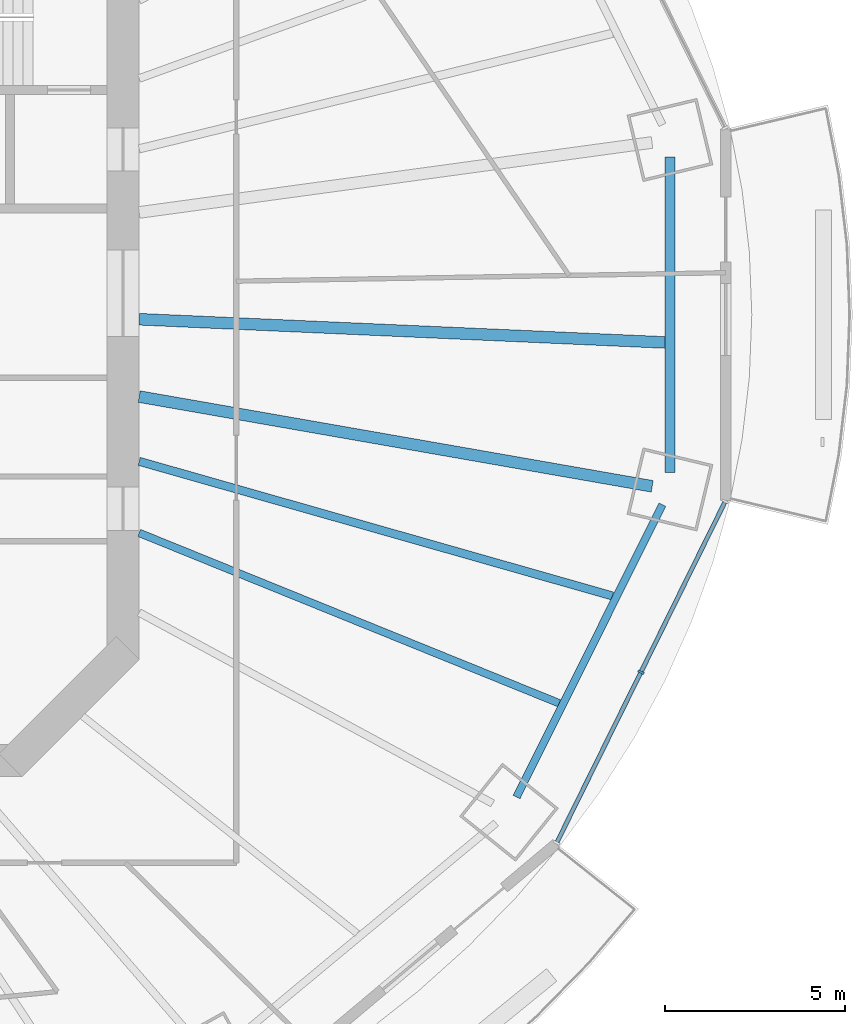
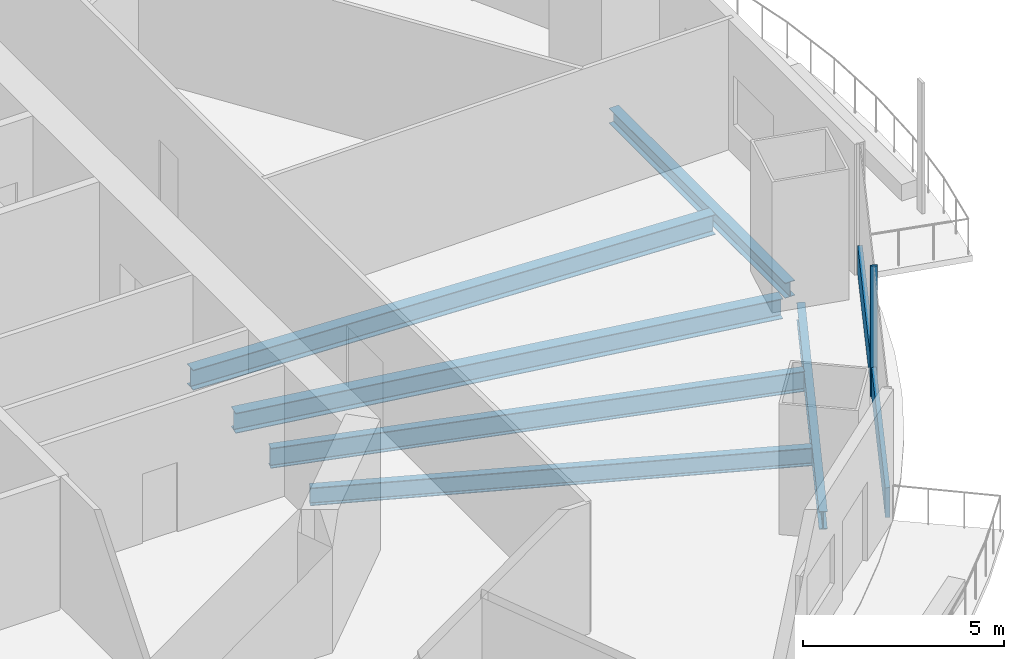
# One storey, part 5 of 21: 6 beams, 2 members, 1 element without a shape of its own.
"""IFC4 building model written with IfcOpenShell, lengths in metres."""

from ifc_helpers import new_model, si_unit, direction, frame, origin, origin_2d, place, context, subcontext, project, spatial, rectangle, i_section, extrude, material, material_profile, profile_set, type_object, element, aggregate, save


model = new_model("IFC4")

# Units and contexts
model_context = context("Model", 3, precision=1e-05, world=origin(), true_north=direction((0.0, 1.0)))
body_context = subcontext(model_context, "Body", "Model", "MODEL_VIEW")
ifc_project = project(units=[si_unit("LENGTHUNIT", "METRE"), si_unit("AREAUNIT", "SQUARE_METRE"), si_unit("VOLUMEUNIT", "CUBIC_METRE"), si_unit("PLANEANGLEUNIT", "RADIAN"), si_unit("MASSUNIT", "GRAM", prefix="KILO")], contexts=[model_context])

# Site, building, storey
site_placement = place(None, origin())
site = spatial("IfcSite", under=ifc_project, at=site_placement, CompositionType="ELEMENT")
building_placement = place(site_placement, origin())
building = spatial("IfcBuilding", under=site, at=building_placement, Name="Marenthal Gate Tower", CompositionType="ELEMENT")
storey_placement = place(building_placement, frame((0.0, 0.0, 202.550048828125)))
storey = spatial("IfcBuildingStorey", under=building, at=storey_placement, Name="L44", CompositionType="ELEMENT", Elevation=202.550048828125)

# Curtain wall, members
ifc_material_1 = material(Name="Aluminium and glass", Category="aluminium")
curtain_wall_type = type_object("IfcCurtainWallType", Name="Curtain wall typical mid", PredefinedType="NOTDEFINED", material=ifc_material_1)
curtain_wall_placement = place(storey_placement, origin())
curtain_wall = element("IfcCurtainWall", 1, at=curtain_wall_placement, inside=storey, type_object=curtain_wall_type, Name="Curtain wall L44 bay 15", PredefinedType="NOTDEFINED")
ifc_material_2 = material(Name="Aluminium", Category="aluminium")
ifc_material_profile_1 = material_profile(ifc_material_2, rectangle(XDim=0.179931640625, YDim=0.06005859375, at=origin_2d()), Name="60x180 aluminium mullion")
ifc_profile_set_1 = profile_set([ifc_material_profile_1], Name="Aluminium")
member_type_1 = type_object("IfcMemberType", Name="Mullion 60x180 typical mid", PredefinedType="MULLION", material=ifc_profile_set_1)
member_1_placement = place(storey_placement, frame((30.408203125, -10.54443359375, 0.0), z_axis=(0.0, 0.0, 1.0), x_axis=(-0.896715617309, 0.442607164057, 0.0)))
member_1 = element("IfcMember", 2, at=member_1_placement, type_object=member_type_1, Name="Mullion L44 bay 15.2", PredefinedType="MULLION", context=body_context, shape_type="SweptSolid", body=[
    extrude(rectangle(XDim=0.179931640625, YDim=0.06005859375, at=origin_2d()), origin(), (0.0, 0.0, 1.0), 3.969970703125),
])
ifc_material_3 = material(Name="Aluminium", Category="aluminium")
ifc_material_profile_2 = material_profile(ifc_material_3, rectangle(XDim=0.1201171875, YDim=0.89990234375, at=origin_2d()), Name="120x900 aluminium transom")
ifc_profile_set_2 = profile_set([ifc_material_profile_2], Name="Aluminium")
member_type_2 = type_object("IfcMemberType", Name="Transom 120x900 typical mid", PredefinedType="USERDEFINED", material=ifc_profile_set_2)
member_2_placement = place(storey_placement, frame((28.07763671875, -15.26611328125, 0.449951171875), z_axis=(0.442608192254, 0.896715109804, 0.0), x_axis=(-0.896715109804, 0.442608192254, 0.0)))
member_2 = element("IfcMember", 3, at=member_2_placement, type_object=member_type_2, Name="Transom L44 bay 15", ObjectType="TRANSOM", PredefinedType="USERDEFINED", context=body_context, shape_type="SweptSolid", body=[
    extrude(rectangle(XDim=0.1201171875, YDim=0.89990234375, at=origin_2d()), origin(), (0.0, 0.0, 1.0), 10.531005859375),
])
aggregate(curtain_wall, [member_1, member_2])

# Beams
ifc_material_4 = material(Name="Steel S355", Category="steel")
ifc_material_profile_3 = material_profile(ifc_material_4, i_section(OverallWidth=0.279052734375, OverallDepth=0.4619140625, WebThickness=0.0107421875, FlangeThickness=0.017333984375, FilletRadius=0.010009765625, at=origin_2d()), Name="W460X113")
ifc_profile_set_3 = profile_set([ifc_material_profile_3], Name="Steel S355")
beam_type_1 = type_object("IfcBeamType", Name="W460X113 beam", PredefinedType="BEAM", material=ifc_profile_set_3)
beam_1_placement = place(storey_placement, frame((31.2158203125, -4.98388671875, -0.4111328125), z_axis=(0.0, 1.0, 0.0), x_axis=(-1.0, 0.0, 0.0)))
element("IfcBeam", 4, at=beam_1_placement, inside=storey, type_object=beam_type_1, Name="BM-L44-56", PredefinedType="BEAM", context=body_context, shape_type="SweptSolid", body=[
    extrude(i_section(OverallWidth=0.279052734375, OverallDepth=0.4619140625, WebThickness=0.0107421875, FlangeThickness=0.017333984375, FilletRadius=0.010009765625, at=origin_2d()), origin(), (0.0, 0.0, 1.0), 8.767578125),
])
ifc_material_5 = material(Name="Steel S355", Category="steel")
ifc_material_profile_4 = material_profile(ifc_material_5, i_section(OverallWidth=0.2119140625, OverallDepth=0.5439453125, WebThickness=0.01318359375, FlangeThickness=0.021240234375, FilletRadius=0.0126953125, at=origin_2d()), Name="W530X123")
ifc_profile_set_4 = profile_set([ifc_material_profile_4], Name="Steel S355")
beam_type_2 = type_object("IfcBeamType", Name="W530X123 beam", PredefinedType="BEAM", material=ifc_profile_set_4)
beam_2_placement = place(storey_placement, frame((28.131591796875, -11.408203125, -0.4521484375), z_axis=(-0.926697708626, 0.375807606132, 0.0), x_axis=(-0.375807606132, -0.926697708626, 0.0)))
element("IfcBeam", 5, at=beam_2_placement, inside=storey, type_object=beam_type_2, Name="BM-L44-38", PredefinedType="BEAM", context=body_context, shape_type="SweptSolid", body=[
    extrude(i_section(OverallWidth=0.2119140625, OverallDepth=0.5439453125, WebThickness=0.01318359375, FlangeThickness=0.021240234375, FilletRadius=0.0126953125, at=origin_2d()), origin(), (0.0, 0.0, 1.0), 12.605712890625),
])
beam_3_placement = place(storey_placement, frame((26.9482421875, -14.019287109375, -0.4521484375), z_axis=(0.446224756274, 0.894920927729, 0.0), x_axis=(-0.894920927729, 0.446224756274, 0.0)))
element("IfcBeam", 6, at=beam_3_placement, inside=storey, type_object=beam_type_2, Name="BM-L44-55", PredefinedType="BEAM", context=body_context, shape_type="SweptSolid", body=[
    extrude(i_section(OverallWidth=0.2119140625, OverallDepth=0.5439453125, WebThickness=0.01318359375, FlangeThickness=0.021240234375, FilletRadius=0.0126953125, at=origin_2d()), origin(), (0.0, 0.0, 1.0), 9.08837890625),
])
ifc_material_6 = material(Name="Steel S355", Category="steel")
ifc_material_profile_5 = material_profile(ifc_material_6, i_section(OverallWidth=0.22900390625, OverallDepth=0.612060546875, WebThickness=0.011962890625, FlangeThickness=0.01953125, FilletRadius=0.0126953125, at=origin_2d()), Name="W610X125")
ifc_profile_set_5 = profile_set([ifc_material_profile_5], Name="Steel S355")
beam_type_3 = type_object("IfcBeamType", Name="W610X125 beam", PredefinedType="BEAM", material=ifc_profile_set_5)
beam_4_placement = place(storey_placement, frame((29.619140625, -8.425048828125, -0.486083984375), z_axis=(-0.961846938218, 0.273588134686, 0.0), x_axis=(-0.273588134686, -0.961846938218, 0.0)))
element("IfcBeam", 7, at=beam_4_placement, inside=storey, type_object=beam_type_3, Name="BM-L44-39", PredefinedType="BEAM", context=body_context, shape_type="SweptSolid", body=[
    extrude(i_section(OverallWidth=0.22900390625, OverallDepth=0.612060546875, WebThickness=0.011962890625, FlangeThickness=0.01953125, FilletRadius=0.0126953125, at=origin_2d()), origin(), (0.0, 0.0, 1.0), 13.691650390625),
])
ifc_material_7 = material(Name="Steel S355", Category="steel")
ifc_material_profile_6 = material_profile(ifc_material_7, i_section(OverallWidth=0.324951171875, OverallDepth=0.612060546875, WebThickness=0.0126953125, FlangeThickness=0.01904296875, FilletRadius=0.0126953125, at=origin_2d()), Name="W610X155")
ifc_profile_set_6 = profile_set([ifc_material_profile_6], Name="Steel S355")
beam_type_4 = type_object("IfcBeamType", Name="W610X155 beam", PredefinedType="BEAM", material=ifc_profile_set_6)
beam_5_placement = place(storey_placement, frame((30.72119140625, -5.374267578125, -0.486083984375), z_axis=(-0.985040837741, 0.17232106076, 0.0), x_axis=(-0.17232106076, -0.985040837741, 0.0)))
element("IfcBeam", 8, at=beam_5_placement, inside=storey, type_object=beam_type_4, Name="BM-L44-16", PredefinedType="BEAM", context=body_context, shape_type="SweptSolid", body=[
    extrude(i_section(OverallWidth=0.324951171875, OverallDepth=0.612060546875, WebThickness=0.0126953125, FlangeThickness=0.01904296875, FilletRadius=0.0126953125, at=origin_2d()), origin(), (0.0, 0.0, 1.0), 14.488037109375),
])
beam_6_placement = place(storey_placement, frame((31.076171875, -1.37158203125, -0.486083984375), z_axis=(-0.999027532939, 0.044090684156, 0.0), x_axis=(-0.044090684156, -0.999027532939, 0.0)))
element("IfcBeam", 9, at=beam_6_placement, inside=storey, type_object=beam_type_4, Name="BM-L44-40", PredefinedType="BEAM", context=body_context, shape_type="SweptSolid", body=[
    extrude(i_section(OverallWidth=0.324951171875, OverallDepth=0.612060546875, WebThickness=0.0126953125, FlangeThickness=0.01904296875, FilletRadius=0.0126953125, at=origin_2d()), origin(), (0.0, 0.0, 1.0), 14.640380859375),
])

save(model, "model.ifc")
